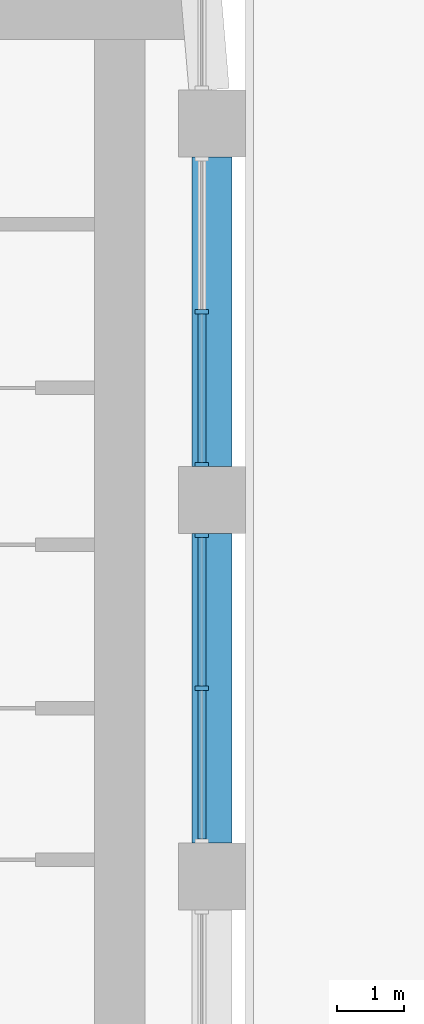
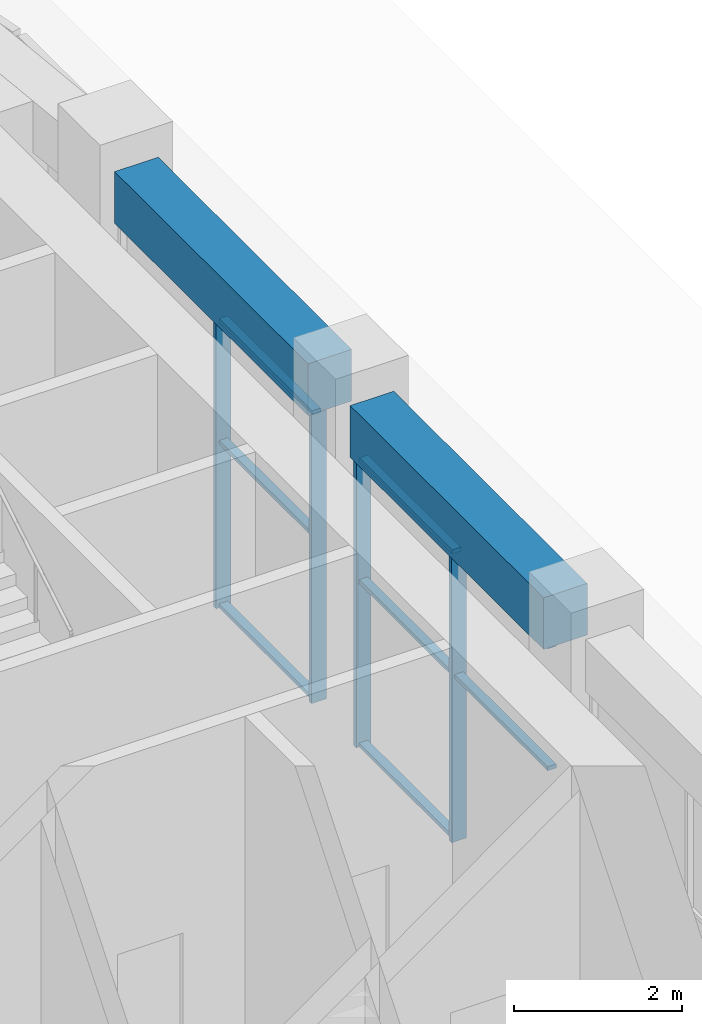
# One storey, part 7 of 28: 12 members, 2 beams, 2 elements without a shape of their own.
"""IFC4 building model written with IfcOpenShell, lengths in metres."""

from ifc_helpers import new_model, si_unit, direction, frame, origin, origin_2d, place, context, subcontext, project, spatial, rectangle, extrude, material, layer, layer_set, material_profile, profile_set, type_object, element, aggregate, save


model = new_model("IFC4")

# Units and contexts
model_context = context("Model", 3, precision=1e-05, world=origin(), true_north=direction((0.0, 1.0)))
body_context = subcontext(model_context, "Body", "Model", "MODEL_VIEW")
ifc_project = project(units=[si_unit("LENGTHUNIT", "METRE"), si_unit("AREAUNIT", "SQUARE_METRE"), si_unit("VOLUMEUNIT", "CUBIC_METRE"), si_unit("PLANEANGLEUNIT", "RADIAN"), si_unit("MASSUNIT", "GRAM", prefix="KILO")], contexts=[model_context])

# Site, building, storey
site_placement = place(None, origin())
site = spatial("IfcSite", under=ifc_project, at=site_placement, CompositionType="ELEMENT")
building_placement = place(site_placement, origin())
building = spatial("IfcBuilding", under=site, at=building_placement, Name="Kiln Ring Residences", CompositionType="ELEMENT")
storey_placement = place(building_placement, frame((0.0, 0.0, 178.10009765625)))
storey = spatial("IfcBuildingStorey", under=building, at=storey_placement, Name="L46", CompositionType="ELEMENT", Elevation=178.10009765625)

# Curtain wall, members
ifc_material_1 = material(Name="Aluminium and glass", Category="aluminium")
ifc_layer = layer(ifc_material_1, 0.199951171875)
ifc_layer_set = layer_set([ifc_layer], Name="CW1 CURTAIN WALL")
curtain_wall_type = type_object("IfcCurtainWallType", Name="CW1 CURTAIN WALL", PredefinedType="NOTDEFINED", material=ifc_layer_set)
placement = place(storey_placement, origin())
curtain_wall_1 = element("IfcCurtainWall", 1, at=placement, inside=storey, type_object=curtain_wall_type, Name="Curtain wall CW1 L46", PredefinedType="NOTDEFINED")
ifc_material_2 = material(Name="Aluminium 6063-T6", Category="aluminium")
ifc_material_profile_1 = material_profile(ifc_material_2, rectangle(XDim=0.199951171875, YDim=0.06005859375, at=origin_2d()), Name="AL 200x60")
ifc_profile_set_1 = profile_set([ifc_material_profile_1], Name="Aluminium 6063-T6")
member_type_1 = type_object("IfcMemberType", Name="CW1 MULLION 200 x 60", PredefinedType="MULLION", material=ifc_profile_set_1)
member_1_placement = place(storey_placement, frame((27.85009765625, 2.800048828125, 0.0), z_axis=(0.0, 0.0, 1.0), x_axis=(-1.0, 0.0, 0.0)))
member_1 = element("IfcMember", 2, at=member_1_placement, type_object=member_type_1, Name="CW1 mullion 2", PredefinedType="MULLION", context=body_context, shape_type="SweptSolid", body=[
    extrude(rectangle(XDim=0.199951171875, YDim=0.06005859375, at=origin_2d()), origin(), (0.0, 0.0, 1.0), 4.199951171875),
])
member_2_placement = place(storey_placement, frame((27.85009765625, 5.070068359375, 0.0), z_axis=(0.0, 0.0, 1.0), x_axis=(-1.0, 0.0, 0.0)))
member_2 = element("IfcMember", 3, at=member_2_placement, type_object=member_type_1, Name="CW1 mullion 3", PredefinedType="MULLION", context=body_context, shape_type="SweptSolid", body=[
    extrude(rectangle(XDim=0.199951171875, YDim=0.06005859375, at=origin_2d()), origin(), (0.0, 0.0, 1.0), 4.199951171875),
])

curtain_wall_2 = element("IfcCurtainWall", 4, at=placement, inside=storey, type_object=curtain_wall_type, Name="Curtain wall CW1 L46", PredefinedType="NOTDEFINED")
member_3_placement = place(storey_placement, frame((27.85009765625, 6.1298828125, 0.0), z_axis=(0.0, 0.0, 1.0), x_axis=(-1.0, 0.0, 0.0)))
member_3 = element("IfcMember", 5, at=member_3_placement, type_object=member_type_1, Name="CW1 mullion 1", PredefinedType="MULLION", context=body_context, shape_type="SweptSolid", body=[
    extrude(rectangle(XDim=0.199951171875, YDim=0.06005859375, at=origin_2d()), origin(), (0.0, 0.0, 1.0), 4.199951171875),
])
member_4_placement = place(storey_placement, frame((27.85009765625, 8.39990234375, 0.0), z_axis=(0.0, 0.0, 1.0), x_axis=(-1.0, 0.0, 0.0)))
member_4 = element("IfcMember", 6, at=member_4_placement, type_object=member_type_1, Name="CW1 mullion 2", PredefinedType="MULLION", context=body_context, shape_type="SweptSolid", body=[
    extrude(rectangle(XDim=0.199951171875, YDim=0.06005859375, at=origin_2d()), origin(), (0.0, 0.0, 1.0), 4.199951171875),
])

# Member
ifc_material_3 = material(Name="Aluminium 6063-T6", Category="aluminium")
ifc_material_profile_2 = material_profile(ifc_material_3, rectangle(XDim=0.1201171875, YDim=0.06005859375, at=origin_2d()), Name="AL 120x60")
ifc_profile_set_2 = profile_set([ifc_material_profile_2], Name="Aluminium 6063-T6")
member_type_2 = type_object("IfcMemberType", Name="CW1 TRANSOM 120 x 60", PredefinedType="USERDEFINED", material=ifc_profile_set_2)
member_5_placement = place(storey_placement, frame((27.85009765625, 0.56005859375, 2.39990234375), z_axis=(0.0, 1.0, 0.0), x_axis=(-1.0, 0.0, 0.0)))
member_5 = element("IfcMember", 7, at=member_5_placement, type_object=member_type_2, Name="CW1 transom 1.2", ObjectType="TRANSOM", PredefinedType="USERDEFINED", context=body_context, shape_type="SweptSolid", body=[
    extrude(rectangle(XDim=0.1201171875, YDim=0.06005859375, at=origin_2d()), origin(), (0.0, 0.0, 1.0), 2.2099609375),
])

member_6_placement = place(storey_placement, frame((27.85009765625, 0.56005859375, 4.169921875), z_axis=(0.0, 1.0, 0.0), x_axis=(-1.0, 0.0, 0.0)))
member_6 = element("IfcMember", 8, at=member_6_placement, type_object=member_type_2, Name="CW1 transom 1.3", ObjectType="TRANSOM", PredefinedType="USERDEFINED", context=body_context, shape_type="SweptSolid", body=[
    extrude(rectangle(XDim=0.1201171875, YDim=0.06005859375, at=origin_2d()), origin(), (0.0, 0.0, 1.0), 2.2099609375),
])

member_7_placement = place(storey_placement, frame((27.85009765625, 2.830078125, 0.02978515625), z_axis=(0.0, 1.0, 0.0), x_axis=(-1.0, 0.0, 0.0)))
member_7 = element("IfcMember", 9, at=member_7_placement, type_object=member_type_2, Name="CW1 transom 2.1", ObjectType="TRANSOM", PredefinedType="USERDEFINED", context=body_context, shape_type="SweptSolid", body=[
    extrude(rectangle(XDim=0.1201171875, YDim=0.06005859375, at=origin_2d()), origin(), (0.0, 0.0, 1.0), 2.2099609375),
])

member_8_placement = place(storey_placement, frame((27.85009765625, 2.830078125, 2.39990234375), z_axis=(0.0, 1.0, 0.0), x_axis=(-1.0, 0.0, 0.0)))
member_8 = element("IfcMember", 10, at=member_8_placement, type_object=member_type_2, Name="CW1 transom 2.2", ObjectType="TRANSOM", PredefinedType="USERDEFINED", context=body_context, shape_type="SweptSolid", body=[
    extrude(rectangle(XDim=0.1201171875, YDim=0.06005859375, at=origin_2d()), origin(), (0.0, 0.0, 1.0), 2.2099609375),
])

member_9_placement = place(storey_placement, frame((27.85009765625, 2.830078125, 4.169921875), z_axis=(0.0, 1.0, 0.0), x_axis=(-1.0, 0.0, 0.0)))
member_9 = element("IfcMember", 11, at=member_9_placement, type_object=member_type_2, Name="CW1 transom 2.3", ObjectType="TRANSOM", PredefinedType="USERDEFINED", context=body_context, shape_type="SweptSolid", body=[
    extrude(rectangle(XDim=0.1201171875, YDim=0.06005859375, at=origin_2d()), origin(), (0.0, 0.0, 1.0), 2.2099609375),
])

aggregate(curtain_wall_1, [member_1, member_2, member_5, member_6, member_7, member_8, member_9])

member_10_placement = place(storey_placement, frame((27.85009765625, 6.159912109375, 0.02978515625), z_axis=(0.0, 1.0, 0.0), x_axis=(-1.0, 0.0, 0.0)))
member_10 = element("IfcMember", 12, at=member_10_placement, type_object=member_type_2, Name="CW1 transom 1.1", ObjectType="TRANSOM", PredefinedType="USERDEFINED", context=body_context, shape_type="SweptSolid", body=[
    extrude(rectangle(XDim=0.1201171875, YDim=0.06005859375, at=origin_2d()), origin(), (0.0, 0.0, 1.0), 2.210205078125),
])

member_11_placement = place(storey_placement, frame((27.85009765625, 6.159912109375, 2.39990234375), z_axis=(0.0, 1.0, 0.0), x_axis=(-1.0, 0.0, 0.0)))
member_11 = element("IfcMember", 13, at=member_11_placement, type_object=member_type_2, Name="CW1 transom 1.2", ObjectType="TRANSOM", PredefinedType="USERDEFINED", context=body_context, shape_type="SweptSolid", body=[
    extrude(rectangle(XDim=0.1201171875, YDim=0.06005859375, at=origin_2d()), origin(), (0.0, 0.0, 1.0), 2.210205078125),
])

member_12_placement = place(storey_placement, frame((27.85009765625, 6.159912109375, 4.169921875), z_axis=(0.0, 1.0, 0.0), x_axis=(-1.0, 0.0, 0.0)))
member_12 = element("IfcMember", 14, at=member_12_placement, type_object=member_type_2, Name="CW1 transom 1.3", ObjectType="TRANSOM", PredefinedType="USERDEFINED", context=body_context, shape_type="SweptSolid", body=[
    extrude(rectangle(XDim=0.1201171875, YDim=0.06005859375, at=origin_2d()), origin(), (0.0, 0.0, 1.0), 2.210205078125),
])

aggregate(curtain_wall_2, [member_3, member_4, member_10, member_11, member_12])

# Beams
ifc_material_4 = material(Name="Concrete C50/60", Category="concrete")
ifc_material_profile_3 = material_profile(ifc_material_4, rectangle(XDim=0.60009765625, YDim=0.75, at=origin_2d()), Name="RC600x750")
ifc_profile_set_3 = profile_set([ifc_material_profile_3], Name="Concrete C50/60")
beam_type = type_object("IfcBeamType", Name="Spandrel beam RC600x750 C50/60", PredefinedType="SPANDREL", material=ifc_profile_set_3)
beam_1_placement = place(storey_placement, frame((28.0, 0.5, 4.574951171875), z_axis=(0.0, 1.0, 0.0), x_axis=(-1.0, 0.0, 0.0)))
element("IfcBeam", 15, at=beam_1_placement, inside=storey, type_object=beam_type, Name="Spandrel beam L46 9", PredefinedType="SPANDREL", context=body_context, shape_type="SweptSolid", body=[
    extrude(rectangle(XDim=0.60009765625, YDim=0.75, at=origin_2d()), origin(), (0.0, 0.0, 1.0), 4.60009765625),
])
beam_2_placement = place(storey_placement, frame((28.0, 6.10009765625, 4.574951171875), z_axis=(0.0, 1.0, 0.0), x_axis=(-1.0, 0.0, 0.0)))
element("IfcBeam", 16, at=beam_2_placement, inside=storey, type_object=beam_type, Name="Spandrel beam L46 10", PredefinedType="SPANDREL", context=body_context, shape_type="SweptSolid", body=[
    extrude(rectangle(XDim=0.60009765625, YDim=0.75, at=origin_2d()), origin(), (0.0, 0.0, 1.0), 4.599853515625),
])

save(model, "model.ifc")
